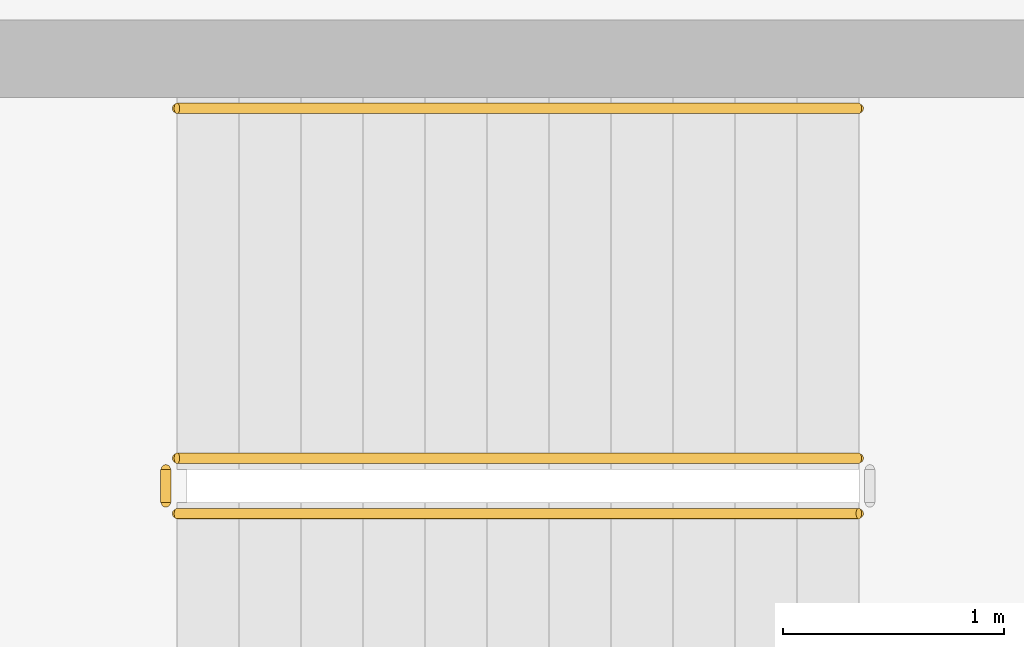
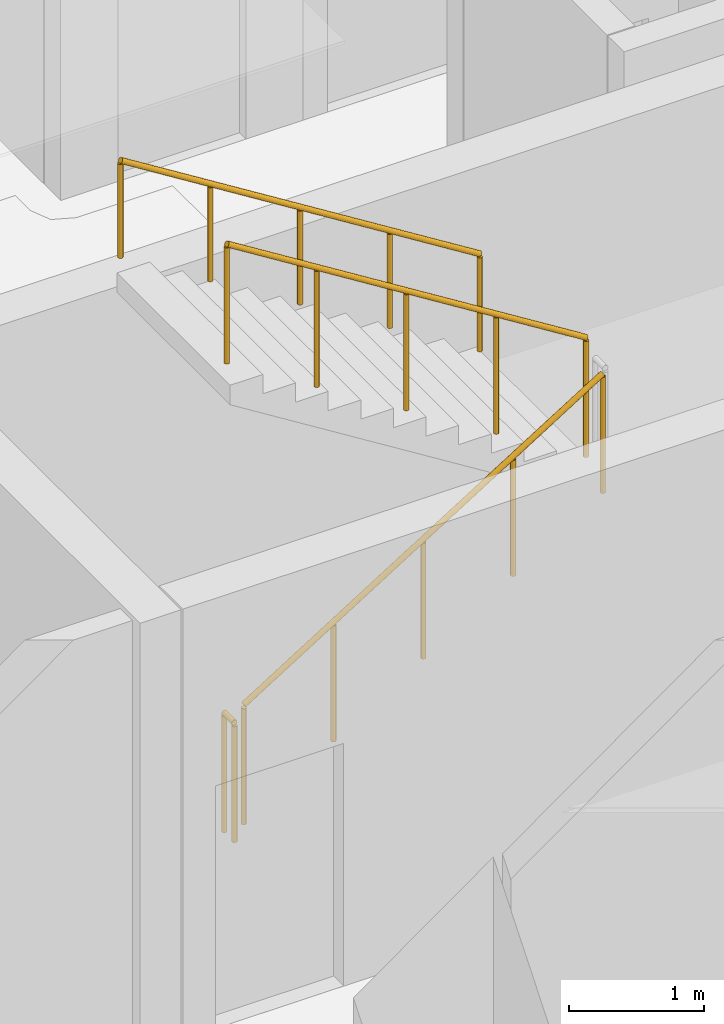
# One storey, part 40 of 45: 4 railings.
"""IFC4 building model written with IfcOpenShell, lengths in metres."""

import ifcopenshell
import ifcopenshell.guid

model = None  # the IFC model being written
_history = None  # IfcOwnerHistory: only IFC2X3 demands one
_inside = {}  # id of a spatial element -> (the spatial element, [elements in it])
_under = {}  # id of a project, library or spatial element -> (it, [spatial elements below it])
_declared = {}  # id of a project -> (the project, [libraries it declares])
_typed = {}  # id of a type object -> (the type object, [elements of that type])
_made_of = {}  # id of a material, layer set ... -> (it, [elements and type objects made of it])


def new_model(schema):
    """Start an empty IFC model of exactly this schema.

    Asked for "IFC4X3", IfcOpenShell would pick the latest addendum, in which some entities
    have other attributes; the version numbers below select the first issue.
    IFC2X3 requires an IfcOwnerHistory on every rooted entity: one is made here for all.
    """
    global model, _history
    if schema == "IFC4X3":
        model = ifcopenshell.file(schema_version=(4, 3, 0, 0))
    else:
        model = ifcopenshell.file(schema=schema)
    _inside.clear()
    _under.clear()
    _declared.clear()
    _typed.clear()
    _made_of.clear()
    _history = None
    if model.schema == "IFC2X3":
        org = make("IfcOrganization", Name="unknown")
        user = make(
            "IfcPersonAndOrganization",
            ThePerson=make("IfcPerson", FamilyName="unknown"),
            TheOrganization=org,
        )
        app = make(
            "IfcApplication",
            ApplicationDeveloper=org,
            Version="unknown",
            ApplicationFullName="unknown",
            ApplicationIdentifier="unknown",
        )
        _history = make(
            "IfcOwnerHistory",
            OwningUser=user,
            OwningApplication=app,
            ChangeAction="ADDED",
            CreationDate=0,
        )
    return model


def make(cls, **values):
    """One entity of the class cls with the attributes given. An attribute that is None is left unset."""
    return model.create_entity(
        cls, **{name: value for name, value in values.items() if value is not None}
    )


def rooted(cls, **values):
    """An entity with a GlobalId (a new one), such as an element, a storey or a relation."""
    return make(cls, GlobalId=ifcopenshell.guid.new(), OwnerHistory=_history, **values)


def si_unit(unit_type, name, prefix=None):
    """IfcSIUnit, for example si_unit("LENGTHUNIT", "METRE", prefix="MILLI")."""
    return make("IfcSIUnit", UnitType=unit_type, Prefix=prefix, Name=name)


def assignment(units):
    """IfcUnitAssignment: the units of a project."""
    return None if units is None else make("IfcUnitAssignment", Units=units)


def point(xyz):
    """IfcCartesianPoint."""
    return None if xyz is None else make("IfcCartesianPoint", Coordinates=xyz)


def direction(xyz):
    """IfcDirection."""
    return None if xyz is None else make("IfcDirection", DirectionRatios=xyz)


def frame(location, z_axis=None, x_axis=None):
    """IfcAxis2Placement3D, a coordinate frame: its origin and axes. An axis left out is left unset."""
    return make(
        "IfcAxis2Placement3D",
        Location=point(location),
        Axis=direction(z_axis),
        RefDirection=direction(x_axis),
    )


def frame_2d(location, x_axis=None):
    """IfcAxis2Placement2D, a coordinate frame in the plane: its origin and x axis."""
    return make(
        "IfcAxis2Placement2D", Location=point(location), RefDirection=direction(x_axis)
    )


def origin():
    """The frame at (0, 0, 0) with its axes left unset."""
    return frame((0.0, 0.0, 0.0))


def origin_2d():
    """The frame at (0, 0) in the plane with its x axis left unset."""
    return frame_2d((0.0, 0.0))


def place(relative_to, where):
    """IfcLocalPlacement: puts the frame where relative to a parent placement (None: the world)."""
    return make(
        "IfcLocalPlacement", PlacementRelTo=relative_to, RelativePlacement=where
    )


def context(
    kind, dimensions, precision=None, world=None, true_north=None, identifier=None
):
    """IfcGeometricRepresentationContext, for example the 3D "Model" context."""
    return make(
        "IfcGeometricRepresentationContext",
        ContextIdentifier=identifier,
        ContextType=kind,
        CoordinateSpaceDimension=dimensions,
        Precision=precision,
        WorldCoordinateSystem=world,
        TrueNorth=true_north,
    )


def subcontext(parent, identifier, kind, view, scale=None):
    """IfcGeometricRepresentationSubContext, for example "Body" below "Model"."""
    return make(
        "IfcGeometricRepresentationSubContext",
        ContextIdentifier=identifier,
        ContextType=kind,
        ParentContext=parent,
        TargetScale=scale,
        TargetView=view,
    )


def project(units=None, contexts=None):
    """IfcProject with its units and contexts."""
    return rooted(
        "IfcProject",
        Name="project",
        RepresentationContexts=contexts,
        UnitsInContext=assignment(units),
    )


def spatial(cls, under=None, at=None, **own):
    """A site, building, storey or space (cls), placed at a placement, below another one or the project."""
    s = rooted(cls, ObjectPlacement=at, **own)
    if under is not None:
        _under.setdefault(under.id(), (under, []))[1].append(s)
    return s


def profile(cls, at=None, kind="AREA", **sizes):
    """A parametric profile (cls). Its sizes go by their IFC names, for example OverallWidth=200.0."""
    return make(cls, ProfileType=kind, Position=at, **sizes)


def circle(**sizes):
    """IfcCircleProfileDef."""
    return profile("IfcCircleProfileDef", **sizes)


def extrude(swept, where, along, depth):
    """IfcExtrudedAreaSolid: the profile swept, set in the frame where, extruded along a direction by depth."""
    return make(
        "IfcExtrudedAreaSolid",
        SweptArea=swept,
        Position=where,
        ExtrudedDirection=direction(along),
        Depth=depth,
    )


def shape(context_of_items, identifier, shape_type, items):
    """IfcShapeRepresentation: the items that make up one representation, for example the "Body"."""
    return make(
        "IfcShapeRepresentation",
        ContextOfItems=context_of_items,
        RepresentationIdentifier=identifier,
        RepresentationType=shape_type,
        Items=items,
    )


def material(Name=None, Category=None):
    """IfcMaterial."""
    return make("IfcMaterial", Name=Name, Category=Category)


def made_of(thing, what):
    """Note that an element or type object is made of a material, layer set ...; save() writes the relation."""
    if what is not None:
        _made_of.setdefault(what.id(), (what, []))[1].append(thing)
    return thing


def type_object(cls, material=None, **own):
    """A type object (cls), such as IfcWallType, which elements share."""
    return made_of(rooted(cls, **own), material)


def element(
    cls,
    number,
    at=None,
    inside=None,
    cuts=None,
    type_object=None,
    material=None,
    context=None,
    identifier="Body",
    shape_type=None,
    held_by="IfcProductDefinitionShape",
    body=None,
    shapes=None,
    **own,
):
    """One element of the class cls, such as IfcWall. Its Tag is "e" and its number.

    at: its placement. inside: the storey or other place that contains it. cuts: it is an
    opening in that element (IfcRelVoidsElement). A single representation is given by context,
    identifier, shape_type and body (its items); several are given by shapes. held_by: the class
    of the entity that holds the representations. save() writes the other relations.
    """
    e = rooted(cls, Tag="e%d" % number, ObjectPlacement=at, **own)
    if body is not None:
        shapes = [shape(context, identifier, shape_type, body)]
    if shapes is not None:
        e.Representation = make(held_by, Representations=shapes)
    if inside is not None:
        _inside.setdefault(inside.id(), (inside, []))[1].append(e)
    if cuts is not None:
        rooted(
            "IfcRelVoidsElement", RelatingBuildingElement=cuts, RelatedOpeningElement=e
        )
    if type_object is not None:
        _typed.setdefault(type_object.id(), (type_object, []))[1].append(e)
    return made_of(e, material)


def aggregate(whole, parts):
    """IfcRelAggregates: a whole, such as a stair, and the parts it consists of."""
    return rooted("IfcRelAggregates", RelatingObject=whole, RelatedObjects=parts)


def save(model, path):
    """Write the relations noted so far, then the file.

    IfcRelAggregates (storeys below a building ...), IfcRelContainedInSpatialStructure (elements
    in a storey), IfcRelDefinesByType, IfcRelAssociatesMaterial and IfcRelDeclares: one each for
    every whole, place, type object, material and project.
    """
    for whole, parts in _under.values():
        aggregate(whole, parts)
    for where, things in _inside.values():
        rooted(
            "IfcRelContainedInSpatialStructure",
            RelatedElements=things,
            RelatingStructure=where,
        )
    for kind, things in _typed.values():
        rooted("IfcRelDefinesByType", RelatedObjects=things, RelatingType=kind)
    for what, things in _made_of.values():
        rooted("IfcRelAssociatesMaterial", RelatedObjects=things, RelatingMaterial=what)
    for by, libraries in _declared.values():
        rooted("IfcRelDeclares", RelatingContext=by, RelatedDefinitions=libraries)
    model.write(path)


model = new_model("IFC4")

# Units and contexts
model_context = context("Model", 3, precision=1e-05, world=origin(), true_north=direction((0.0, 1.0)))
body_context = subcontext(model_context, "Body", "Model", "MODEL_VIEW")
ifc_project = project(units=[si_unit("LENGTHUNIT", "METRE"), si_unit("AREAUNIT", "SQUARE_METRE"), si_unit("VOLUMEUNIT", "CUBIC_METRE"), si_unit("PLANEANGLEUNIT", "RADIAN"), si_unit("MASSUNIT", "GRAM", prefix="KILO")], contexts=[model_context])

# Site, building, storey
site_placement = place(None, origin())
site = spatial("IfcSite", under=ifc_project, at=site_placement, CompositionType="ELEMENT")
building_placement = place(site_placement, origin())
building = spatial("IfcBuilding", under=site, at=building_placement, Name="Qorvath Tower", CompositionType="ELEMENT")
storey_placement = place(building_placement, frame((0.0, 0.0, 95.39990234375)))
storey = spatial("IfcBuildingStorey", under=building, at=storey_placement, Name="L21", CompositionType="ELEMENT", Elevation=95.39990234375)

# Railings
ifc_material_1 = material(Name="Painted galvanised steel", Category="steel")
railing_type_1 = type_object("IfcRailingType", Name="RL-STR-GRD", PredefinedType="GUARDRAIL", material=ifc_material_1)
railing_1_placement = place(storey_placement, frame((-22.669921875, -6.570068359375, 0.175048828125)))
element("IfcRailing", 1, at=railing_1_placement, inside=storey, type_object=railing_type_1, Name="L21 TS2 stair guard 1", PredefinedType="GUARDRAIL", context=body_context, shape_type="SweptSolid", body=[
    extrude(circle(Radius=0.02392578125, at=origin_2d()), frame((0.0, 0.0, 1.076171875), z_axis=(0.847979421464, 0.0, 0.530029150871), x_axis=(0.0, 1.0, 0.0)), (0.0, 0.0, 1.0), 3.632080078125),
    extrude(circle(Radius=0.02099609375, at=origin_2d()), origin(), (0.0, 0.0, 1.0), 1.052001953125),
    extrude(circle(Radius=0.02099609375, at=origin_2d()), frame((0.77001953125, 0.0, 0.481201171875)), (0.0, 0.0, 1.0), 1.052001953125),
    extrude(circle(Radius=0.02099609375, at=origin_2d()), frame((1.5400390625, 0.0, 0.96240234375)), (0.0, 0.0, 1.0), 1.052001953125),
    extrude(circle(Radius=0.02099609375, at=origin_2d()), frame((2.309814453125, 0.0, 1.44384765625)), (0.0, 0.0, 1.0), 1.052001953125),
    extrude(circle(Radius=0.02099609375, at=origin_2d()), frame((3.079833984375, 0.0, 1.925048828125)), (0.0, 0.0, 1.0), 1.052001953125),
])
railing_2_placement = place(storey_placement, frame((-19.590087890625, -6.320068359375, 2.275146484375)))
element("IfcRailing", 2, at=railing_2_placement, inside=storey, type_object=railing_type_1, Name="L21 TS2 stair guard 3", PredefinedType="GUARDRAIL", context=body_context, shape_type="SweptSolid", body=[
    extrude(circle(Radius=0.02392578125, at=origin_2d()), frame((0.0, 0.0, 1.076171875), z_axis=(-0.847979421464, 0.0, 0.530029150871), x_axis=(0.0, -1.0, 0.0)), (0.0, 0.0, 1.0), 3.632080078125),
    extrude(circle(Radius=0.02099609375, at=origin_2d()), origin(), (0.0, 0.0, 1.0), 1.052001953125),
    extrude(circle(Radius=0.02099609375, at=origin_2d()), frame((-0.77001953125, 0.0, 0.481201171875)), (0.0, 0.0, 1.0), 1.052001953125),
    extrude(circle(Radius=0.02099609375, at=origin_2d()), frame((-1.5400390625, 0.0, 0.96240234375)), (0.0, 0.0, 1.0), 1.052001953125),
    extrude(circle(Radius=0.02099609375, at=origin_2d()), frame((-2.309814453125, 0.0, 1.44384765625)), (0.0, 0.0, 1.0), 1.052001953125),
    extrude(circle(Radius=0.02099609375, at=origin_2d()), frame((-3.079833984375, 0.0, 1.925048828125)), (0.0, 0.0, 1.0), 1.052001953125),
])
railing_3_placement = place(storey_placement, frame((-22.719970703125, -6.52001953125, 0.0)))
element("IfcRailing", 3, at=railing_3_placement, inside=storey, type_object=railing_type_1, Name="L21 TS2 stair guard 4", PredefinedType="GUARDRAIL", context=body_context, shape_type="SweptSolid", body=[
    extrude(circle(Radius=0.02392578125, at=origin_2d()), frame((0.0, 0.0, 1.076171875), z_axis=(0.0, 1.0, 0.0), x_axis=(-1.0, 0.0, 0.0)), (0.0, 0.0, 1.0), 0.14990234375),
    extrude(circle(Radius=0.02099609375, at=origin_2d()), origin(), (0.0, 0.0, 1.0), 1.052001953125),
    extrude(circle(Radius=0.02099609375, at=origin_2d()), frame((0.0, 0.14990234375, 0.0)), (0.0, 0.0, 1.0), 1.052001953125),
])
ifc_material_2 = material(Name="Brushed stainless steel AISI 304", Category="steel")
railing_type_2 = type_object("IfcRailingType", Name="RL-STR-HND", PredefinedType="HANDRAIL", material=ifc_material_2)
railing_4_placement = place(storey_placement, frame((-19.590087890625, -4.739990234375, 2.275146484375)))
element("IfcRailing", 4, at=railing_4_placement, inside=storey, type_object=railing_type_2, Name="L21 TS2 stair handrail 2", PredefinedType="HANDRAIL", context=body_context, shape_type="SweptSolid", body=[
    extrude(circle(Radius=0.02392578125, at=origin_2d()), frame((0.0, 0.0, 0.8759765625), z_axis=(-0.847979421464, 0.0, 0.530029150871), x_axis=(0.0, -1.0, 0.0)), (0.0, 0.0, 1.0), 3.632080078125),
    extrude(circle(Radius=0.02099609375, at=origin_2d()), origin(), (0.0, 0.0, 1.0), 0.851806640625),
    extrude(circle(Radius=0.02099609375, at=origin_2d()), frame((-0.77001953125, 0.0, 0.481201171875)), (0.0, 0.0, 1.0), 0.851806640625),
    extrude(circle(Radius=0.02099609375, at=origin_2d()), frame((-1.5400390625, 0.0, 0.96240234375)), (0.0, 0.0, 1.0), 0.851806640625),
    extrude(circle(Radius=0.02099609375, at=origin_2d()), frame((-2.309814453125, 0.0, 1.44384765625)), (0.0, 0.0, 1.0), 0.851806640625),
    extrude(circle(Radius=0.02099609375, at=origin_2d()), frame((-3.079833984375, 0.0, 1.925048828125)), (0.0, 0.0, 1.0), 0.851806640625),
])

save(model, "model.ifc")
